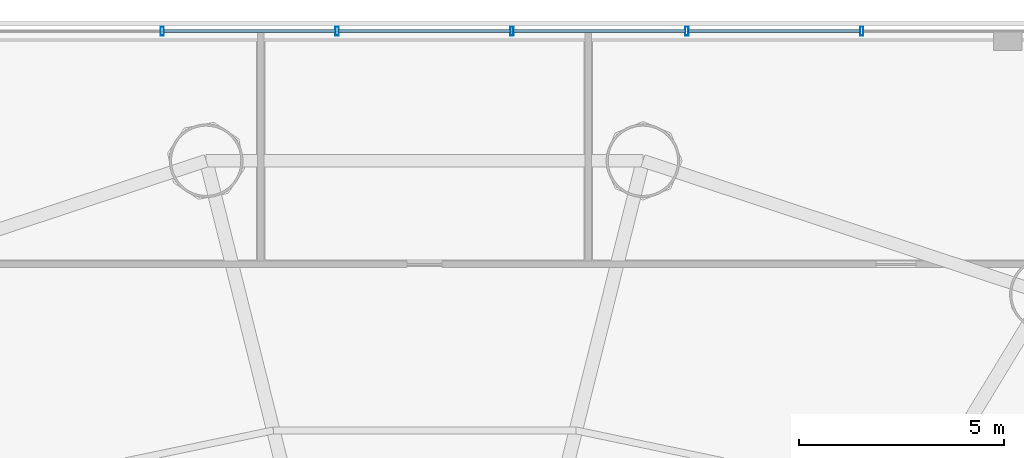
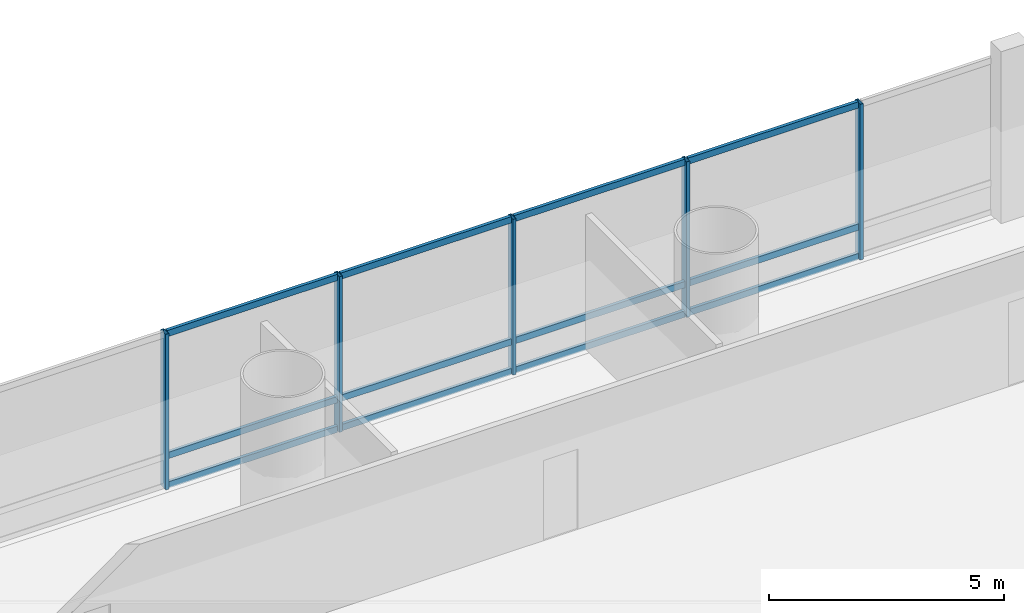
# One storey, part 14 of 36: 17 members, 1 element without a shape of its own.
"""IFC4 building model written with IfcOpenShell, lengths in metres."""

from ifc_helpers import new_model, si_unit, direction, frame, origin, origin_2d, place, context, subcontext, project, spatial, hollow_rectangle, extrude, source, transform, mapped, material, material_profile, profile_set, type_object, element, aggregate, save


model = new_model("IFC4")

# Units and contexts
model_context = context("Model", 3, precision=1e-05, world=origin(), true_north=direction((-0.2419218956, 0.970295726276)))
body_context = subcontext(model_context, "Body", "Model", "MODEL_VIEW")
ifc_project = project(units=[si_unit("LENGTHUNIT", "METRE"), si_unit("AREAUNIT", "SQUARE_METRE"), si_unit("VOLUMEUNIT", "CUBIC_METRE"), si_unit("PLANEANGLEUNIT", "RADIAN"), si_unit("MASSUNIT", "GRAM", prefix="KILO")], contexts=[model_context])

# Site, building, storey
site_placement = place(None, origin())
site = spatial("IfcSite", under=ifc_project, at=site_placement, CompositionType="ELEMENT")
building_placement = place(site_placement, origin())
building = spatial("IfcBuilding", under=site, at=building_placement, Name="Cobrevalo Terracotta Tower", CompositionType="ELEMENT")
storey_placement = place(building_placement, frame((0.0, 0.0, 14.39990234375)))
storey = spatial("IfcBuildingStorey", under=building, at=storey_placement, Name="L03", CompositionType="ELEMENT", Elevation=14.39990234375)

# Curtain wall, members
ifc_material = material(Name="Anodized aluminium", Category="aluminium")
curtain_wall_type = type_object("IfcCurtainWallType", Name="Podium gallery & conservatory curtain wall CW-S2", PredefinedType="NOTDEFINED", material=ifc_material)
curtain_wall_placement = place(storey_placement, origin())
curtain_wall = element("IfcCurtainWall", 1, at=curtain_wall_placement, inside=storey, type_object=curtain_wall_type, Name="L03 curtain wall CW-POD-L03-N", PredefinedType="NOTDEFINED")
ifc_material_profile_1 = material_profile(ifc_material, hollow_rectangle(XDim=0.080078125, YDim=0.1650390625, WallThickness=0.00439453125, at=origin_2d()), Name="CWT 80x165")
ifc_profile_set_1 = profile_set([ifc_material_profile_1], Name="Anodized aluminium")
member_type_1 = type_object("IfcMemberType", Name="Storefront & atrium aluminium transom 80x165", PredefinedType="USERDEFINED", material=ifc_profile_set_1)
shared_shape_1 = source(origin(), body_context, "Body", "SweptSolid", [
    extrude(hollow_rectangle(XDim=0.080078125, YDim=0.1650390625, WallThickness=0.00439453125, at=origin_2d()), origin(), (0.0, 0.0, 1.0), 4.193359375),
])
member_1_placement = place(storey_placement, frame((48.643310546875, 51.39990234375, 0.050048828125), z_axis=(-1.0, 0.0, 0.0), x_axis=(0.0, -1.0, 0.0)))
member_1 = element("IfcMember", 2, at=member_1_placement, type_object=member_type_1, Name="CW-POD-L03-N transom B06-T1", ObjectType="TRANSOM", PredefinedType="USERDEFINED", context=body_context, shape_type="MappedRepresentation", body=[
    mapped(shared_shape_1, transform((0.0, 0.0, 0.0), scale=1.0)),
])
member_2_placement = place(storey_placement, frame((48.643310546875, 51.39990234375, 0.820068359375), z_axis=(-1.0, 0.0, 0.0), x_axis=(0.0, -1.0, 0.0)))
member_2 = element("IfcMember", 3, at=member_2_placement, type_object=member_type_1, Name="CW-POD-L03-N transom B06-T2", ObjectType="TRANSOM", PredefinedType="USERDEFINED", context=body_context, shape_type="MappedRepresentation", body=[
    mapped(shared_shape_1, transform((0.0, 0.0, 0.0), scale=1.0)),
])
member_3_placement = place(storey_placement, frame((48.643310546875, 51.39990234375, 4.0), z_axis=(-1.0, 0.0, 0.0), x_axis=(0.0, -1.0, 0.0)))
member_3 = element("IfcMember", 4, at=member_3_placement, type_object=member_type_1, Name="CW-POD-L03-N transom B06-T3", ObjectType="TRANSOM", PredefinedType="USERDEFINED", context=body_context, shape_type="MappedRepresentation", body=[
    mapped(shared_shape_1, transform((0.0, 0.0, 0.0), scale=1.0)),
])
member_4_placement = place(storey_placement, frame((44.3701171875, 51.39990234375, 0.050048828125), z_axis=(-1.0, 0.0, 0.0), x_axis=(0.0, -1.0, 0.0)))
member_4 = element("IfcMember", 5, at=member_4_placement, type_object=member_type_1, Name="CW-POD-L03-N transom B07-T1", ObjectType="TRANSOM", PredefinedType="USERDEFINED", context=body_context, shape_type="MappedRepresentation", body=[
    mapped(shared_shape_1, transform((0.0, 0.0, 0.0), scale=1.0)),
])
member_5_placement = place(storey_placement, frame((44.3701171875, 51.39990234375, 0.820068359375), z_axis=(-1.0, 0.0, 0.0), x_axis=(0.0, -1.0, 0.0)))
member_5 = element("IfcMember", 6, at=member_5_placement, type_object=member_type_1, Name="CW-POD-L03-N transom B07-T2", ObjectType="TRANSOM", PredefinedType="USERDEFINED", context=body_context, shape_type="MappedRepresentation", body=[
    mapped(shared_shape_1, transform((0.0, 0.0, 0.0), scale=1.0)),
])
member_6_placement = place(storey_placement, frame((44.3701171875, 51.39990234375, 4.0), z_axis=(-1.0, 0.0, 0.0), x_axis=(0.0, -1.0, 0.0)))
member_6 = element("IfcMember", 7, at=member_6_placement, type_object=member_type_1, Name="CW-POD-L03-N transom B07-T3", ObjectType="TRANSOM", PredefinedType="USERDEFINED", context=body_context, shape_type="MappedRepresentation", body=[
    mapped(shared_shape_1, transform((0.0, 0.0, 0.0), scale=1.0)),
])
member_7_placement = place(storey_placement, frame((40.0966796875, 51.39990234375, 0.050048828125), z_axis=(-1.0, 0.0, 0.0), x_axis=(0.0, -1.0, 0.0)))
member_7 = element("IfcMember", 8, at=member_7_placement, type_object=member_type_1, Name="CW-POD-L03-N transom B08-T1", ObjectType="TRANSOM", PredefinedType="USERDEFINED", context=body_context, shape_type="MappedRepresentation", body=[
    mapped(shared_shape_1, transform((0.0, 0.0, 0.0), scale=1.0)),
])
member_8_placement = place(storey_placement, frame((40.0966796875, 51.39990234375, 0.820068359375), z_axis=(-1.0, 0.0, 0.0), x_axis=(0.0, -1.0, 0.0)))
member_8 = element("IfcMember", 9, at=member_8_placement, type_object=member_type_1, Name="CW-POD-L03-N transom B08-T2", ObjectType="TRANSOM", PredefinedType="USERDEFINED", context=body_context, shape_type="MappedRepresentation", body=[
    mapped(shared_shape_1, transform((0.0, 0.0, 0.0), scale=1.0)),
])
member_9_placement = place(storey_placement, frame((40.0966796875, 51.39990234375, 4.0), z_axis=(-1.0, 0.0, 0.0), x_axis=(0.0, -1.0, 0.0)))
member_9 = element("IfcMember", 10, at=member_9_placement, type_object=member_type_1, Name="CW-POD-L03-N transom B08-T3", ObjectType="TRANSOM", PredefinedType="USERDEFINED", context=body_context, shape_type="MappedRepresentation", body=[
    mapped(shared_shape_1, transform((0.0, 0.0, 0.0), scale=1.0)),
])
member_10_placement = place(storey_placement, frame((35.8232421875, 51.39990234375, 0.050048828125), z_axis=(-1.0, 0.0, 0.0), x_axis=(0.0, -1.0, 0.0)))
member_10 = element("IfcMember", 11, at=member_10_placement, type_object=member_type_1, Name="CW-POD-L03-N transom B09-T1", ObjectType="TRANSOM", PredefinedType="USERDEFINED", context=body_context, shape_type="MappedRepresentation", body=[
    mapped(shared_shape_1, transform((0.0, 0.0, 0.0), scale=1.0)),
])
member_11_placement = place(storey_placement, frame((35.8232421875, 51.39990234375, 0.820068359375), z_axis=(-1.0, 0.0, 0.0), x_axis=(0.0, -1.0, 0.0)))
member_11 = element("IfcMember", 12, at=member_11_placement, type_object=member_type_1, Name="CW-POD-L03-N transom B09-T2", ObjectType="TRANSOM", PredefinedType="USERDEFINED", context=body_context, shape_type="MappedRepresentation", body=[
    mapped(shared_shape_1, transform((0.0, 0.0, 0.0), scale=1.0)),
])
member_12_placement = place(storey_placement, frame((35.8232421875, 51.39990234375, 4.0), z_axis=(-1.0, 0.0, 0.0), x_axis=(0.0, -1.0, 0.0)))
member_12 = element("IfcMember", 13, at=member_12_placement, type_object=member_type_1, Name="CW-POD-L03-N transom B09-T3", ObjectType="TRANSOM", PredefinedType="USERDEFINED", context=body_context, shape_type="MappedRepresentation", body=[
    mapped(shared_shape_1, transform((0.0, 0.0, 0.0), scale=1.0)),
])
ifc_material_profile_2 = material_profile(ifc_material, hollow_rectangle(XDim=0.080078125, YDim=0.219970703125, WallThickness=0.0048828125, at=origin_2d()), Name="CWM 80x220")
ifc_profile_set_2 = profile_set([ifc_material_profile_2], Name="Anodized aluminium")
member_type_2 = type_object("IfcMemberType", Name="Storefront & atrium aluminium mullion 80x220", PredefinedType="MULLION", material=ifc_profile_set_2)
shared_shape_2 = source(origin(), body_context, "Body", "SweptSolid", [
    extrude(hollow_rectangle(XDim=0.080078125, YDim=0.219970703125, WallThickness=0.0048828125, at=origin_2d()), origin(), (0.0, 0.0, 1.0), 4.050048828125),
])
member_13_placement = place(storey_placement, frame((48.683349609375, 51.39990234375, 0.0), z_axis=(0.0, 0.0, 1.0), x_axis=(-1.0, 0.0, 0.0)))
member_13 = element("IfcMember", 14, at=member_13_placement, type_object=member_type_2, Name="CW-POD-L03-N vertical mullion 06", PredefinedType="MULLION", context=body_context, shape_type="MappedRepresentation", body=[
    mapped(shared_shape_2, transform((0.0, 0.0, 0.0), scale=1.0)),
])
member_14_placement = place(storey_placement, frame((44.409912109375, 51.39990234375, 0.0), z_axis=(0.0, 0.0, 1.0), x_axis=(-1.0, 0.0, 0.0)))
member_14 = element("IfcMember", 15, at=member_14_placement, type_object=member_type_2, Name="CW-POD-L03-N vertical mullion 07", PredefinedType="MULLION", context=body_context, shape_type="MappedRepresentation", body=[
    mapped(shared_shape_2, transform((0.0, 0.0, 0.0), scale=1.0)),
])
member_15_placement = place(storey_placement, frame((40.13671875, 51.39990234375, 0.0), z_axis=(0.0, 0.0, 1.0), x_axis=(-1.0, 0.0, 0.0)))
member_15 = element("IfcMember", 16, at=member_15_placement, type_object=member_type_2, Name="CW-POD-L03-N vertical mullion 08", PredefinedType="MULLION", context=body_context, shape_type="MappedRepresentation", body=[
    mapped(shared_shape_2, transform((0.0, 0.0, 0.0), scale=1.0)),
])
member_16_placement = place(storey_placement, frame((35.86328125, 51.39990234375, 0.0), z_axis=(0.0, 0.0, 1.0), x_axis=(-1.0, 0.0, 0.0)))
member_16 = element("IfcMember", 17, at=member_16_placement, type_object=member_type_2, Name="CW-POD-L03-N vertical mullion 09", PredefinedType="MULLION", context=body_context, shape_type="MappedRepresentation", body=[
    mapped(shared_shape_2, transform((0.0, 0.0, 0.0), scale=1.0)),
])
member_17_placement = place(storey_placement, frame((31.590087890625, 51.39990234375, 0.0), z_axis=(0.0, 0.0, 1.0), x_axis=(-1.0, 0.0, 0.0)))
member_17 = element("IfcMember", 18, at=member_17_placement, type_object=member_type_2, Name="CW-POD-L03-N vertical mullion 10", PredefinedType="MULLION", context=body_context, shape_type="MappedRepresentation", body=[
    mapped(shared_shape_2, transform((0.0, 0.0, 0.0), scale=1.0)),
])
aggregate(curtain_wall, [member_13, member_14, member_15, member_16, member_17, member_1, member_2, member_3, member_4, member_5, member_6, member_7, member_8, member_9, member_10, member_11, member_12])

save(model, "model.ifc")
